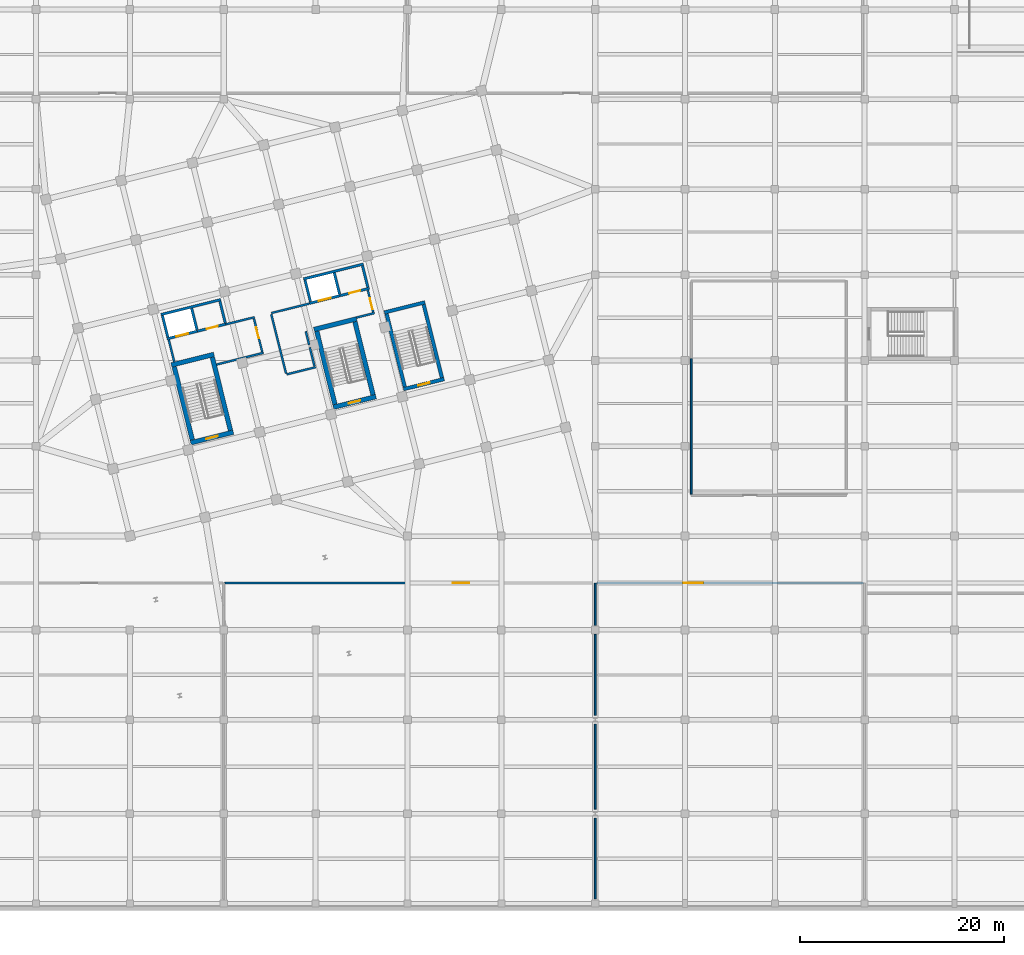
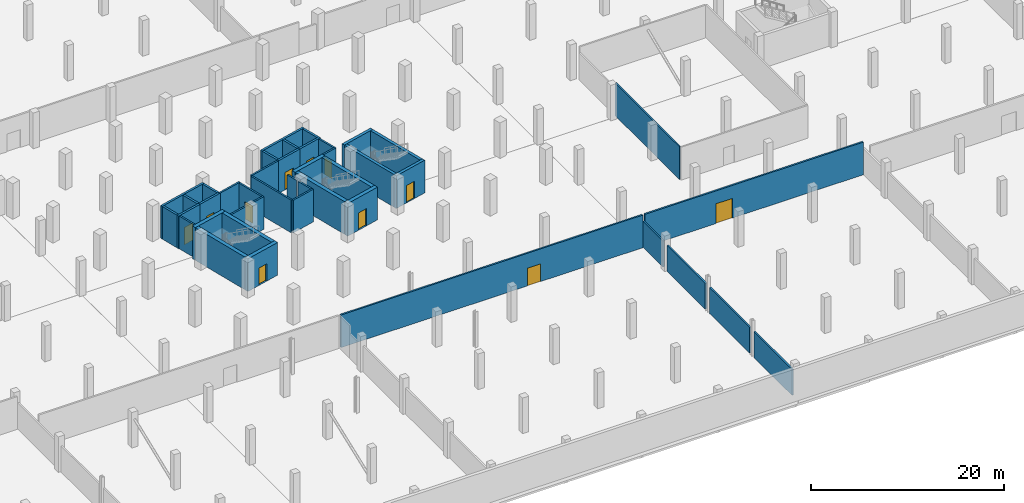
# One storey, part 22 of 31: 42 walls, 11 doors, 11 openings.
"""IFC4 building model written with IfcOpenShell, lengths in metres."""

from ifc_helpers import new_model, si_unit, direction, frame, frame_2d, origin, place, context, subcontext, project, spatial, rectangle, extrude, material, layer, layer_set, type_object, element, fill, save


model = new_model("IFC4")

# Units and contexts
model_context = context("Model", 3, precision=1e-05, world=origin(), true_north=direction((0.0, 1.0)))
body_context = subcontext(model_context, "Body", "Model", "MODEL_VIEW")
ifc_project = project(units=[si_unit("LENGTHUNIT", "METRE"), si_unit("AREAUNIT", "SQUARE_METRE"), si_unit("VOLUMEUNIT", "CUBIC_METRE"), si_unit("PLANEANGLEUNIT", "RADIAN"), si_unit("MASSUNIT", "GRAM", prefix="KILO")], contexts=[model_context])

# Site, building, storey
site_placement = place(None, origin())
site = spatial("IfcSite", under=ifc_project, at=site_placement, CompositionType="ELEMENT")
building_placement = place(site_placement, origin())
building = spatial("IfcBuilding", under=site, at=building_placement, Name="Meriwether Solvik Hall", CompositionType="ELEMENT")
storey_placement = place(building_placement, frame((0.0, 0.0, -4.5)))
storey = spatial("IfcBuildingStorey", under=building, at=storey_placement, Name="B01", CompositionType="ELEMENT", Elevation=-4.5)

# Walls
ifc_material_1 = material(Name="Grouted Concrete Masonry Unit Block", Category="masonry")
ifc_layer_1 = layer(ifc_material_1, 0.18994140625)
ifc_layer_set_1 = layer_set([ifc_layer_1], Name="Grouted Concrete Masonry Unit Block")
wall_type_1 = type_object("IfcWallType", Name="WALL-CMU-190", PredefinedType="STANDARD", material=ifc_layer_set_1)
wall_1_placement = place(storey_placement, frame((114.199951171875, 5.639892578125, 0.0), z_axis=(0.0, 0.0, 1.0), x_axis=(0.0, 1.0, 0.0)))
element("IfcWall", 1, at=wall_1_placement, inside=storey, type_object=wall_type_1, Name="B01 Interior Partition van_park_e", PredefinedType="STANDARD", context=body_context, shape_type="SweptSolid", body=[
    extrude(rectangle(XDim=7.920166015625, YDim=0.18994140625, at=frame_2d((3.9599609375, 0.0))), origin(), (0.0, 0.0, 1.0), 3.2900390625),
])
wall_2_placement = place(storey_placement, frame((114.199951171875, 14.43994140625, 0.0), z_axis=(0.0, 0.0, 1.0), x_axis=(0.0, 1.0, 0.0)))
element("IfcWall", 2, at=wall_2_placement, inside=storey, type_object=wall_type_1, Name="B01 Interior Partition van_park_e_s2", PredefinedType="STANDARD", context=body_context, shape_type="SweptSolid", body=[
    extrude(rectangle(XDim=8.320068359375, YDim=0.18994140625, at=frame_2d((4.16015625, 0.0))), origin(), (0.0, 0.0, 1.0), 3.2900390625),
])
wall_3_placement = place(storey_placement, frame((114.199951171875, 23.639892578125, 0.0), z_axis=(0.0, 0.0, 1.0), x_axis=(0.0, 1.0, 0.0)))
element("IfcWall", 3, at=wall_3_placement, inside=storey, type_object=wall_type_1, Name="B01 Interior Partition van_park_e_s3", PredefinedType="STANDARD", context=body_context, shape_type="SweptSolid", body=[
    extrude(rectangle(XDim=7.920166015625, YDim=0.18994140625, at=frame_2d((3.9599609375, 0.0))), origin(), (0.0, 0.0, 1.0), 3.2900390625),
])
wall_4_placement = place(storey_placement, frame((114.199951171875, 32.43994140625, 0.0), z_axis=(0.0, 0.0, 1.0), x_axis=(0.0, 1.0, 0.0)))
element("IfcWall", 4, at=wall_4_placement, inside=storey, type_object=wall_type_1, Name="B01 Interior Partition van_park_e_s4", PredefinedType="STANDARD", context=body_context, shape_type="SweptSolid", body=[
    extrude(rectangle(XDim=4.16015625, YDim=0.18994140625, at=frame_2d((2.080078125, 0.0))), origin(), (0.0, 0.0, 1.0), 3.2900390625),
])

# Wall, opening, door
wall_5_placement = place(storey_placement, frame((114.080078125, 36.60009765625, 0.0), z_axis=(0.0, 0.0, 1.0), x_axis=(-1.0, 0.0, 0.0)))
wall_5 = element("IfcWall", 5, at=wall_5_placement, inside=storey, type_object=wall_type_1, Name="B01 Interior Partition van_park_n", PredefinedType="STANDARD", context=body_context, shape_type="SweptSolid", body=[
    extrude(rectangle(XDim=36.16015625, YDim=0.18994140625, at=frame_2d((18.080078125, 0.0))), origin(), (0.0, 0.0, 1.0), 4.139892578125),
])
opening_1_placement = place(wall_5_placement, frame((12.246826171875, 0.0, 0.0)))
opening_1 = element("IfcOpeningElement", 6, at=opening_1_placement, cuts=wall_5, Name="Opening D-144", PredefinedType="OPENING", context=body_context, shape_type="SweptSolid", body=[
    extrude(rectangle(XDim=1.60009765625, YDim=2.25, at=frame_2d((0.800048828125, 1.125))), frame((0.0, 0.10693359375, 0.0), z_axis=(0.0, -1.0, 0.0), x_axis=(1.0, 0.0, 0.0)), (0.0, 0.0, 1.0), 0.2138671875),
])
ifc_material_2 = material(Name="Steel A36 Galvanised", Category="steel")
door_type_1 = type_object("IfcDoorType", Name="DR-FD60-1600", OperationType="DOUBLE_DOOR_SINGLE_SWING", PredefinedType="DOOR", material=ifc_material_2)
door_1_placement = place(opening_1_placement, origin())
door_1 = element("IfcDoor", 7, at=door_1_placement, inside=storey, type_object=door_type_1, Name="Accessible Van Parking Bay Door", OperationType="DOUBLE_DOOR_SINGLE_SWING", OverallHeight=2.25, OverallWidth=1.60009765625, PredefinedType="DOOR", context=body_context, shape_type="SweptSolid", body=[
    extrude(rectangle(XDim=1.60009765625, YDim=2.25, at=frame_2d((0.800048828125, 1.125))), frame((0.0, 0.02490234375, 0.0), z_axis=(0.0, -1.0, 0.0), x_axis=(1.0, 0.0, 0.0)), (0.0, 0.0, 1.0), 0.050048828125),
])
fill(opening_1, door_1)

# Walls
ifc_material_3 = material(Name="Fire-Rated Type X Gypsum Board", Category="gypsum")
ifc_layer_2 = layer(ifc_material_3, 0.175048828125)
ifc_layer_set_2 = layer_set([ifc_layer_2], Name="Fire-Rated Type X Gypsum Board")
wall_type_2 = type_object("IfcWallType", Name="WALL-CORR-175", PredefinedType="PARTITIONING", material=ifc_layer_set_2)
wall_6_placement = place(storey_placement, frame((123.60009765625, 58.614990234375, 0.0), z_axis=(0.0, 0.0, 1.0), x_axis=(0.0, -1.0, 0.0)))
element("IfcWall", 8, at=wall_6_placement, inside=storey, type_object=wall_type_2, Name="B01 Interior Partition jan_b01_w_s2", PredefinedType="PARTITIONING", context=body_context, shape_type="SweptSolid", body=[
    extrude(rectangle(XDim=13.294921875, YDim=0.175048828125, at=frame_2d((6.6474609375, 0.0))), origin(), (0.0, 0.0, 1.0), 4.139892578125),
])
ifc_material_4 = material(Name="Fire-Rated Type X Gypsum Board", Category="gypsum")
ifc_layer_3 = layer(ifc_material_4, 0.199951171875)
ifc_layer_set_3 = layer_set([ifc_layer_3], Name="Fire-Rated Type X Gypsum Board")
wall_type_3 = type_object("IfcWallType", Name="WALL-FIRE-200", PredefinedType="STANDARD", material=ifc_layer_set_3)
wall_7_placement = place(storey_placement, frame((72.94970703125, 58.269287109375, 0.0), z_axis=(0.0, 0.0, 1.0), x_axis=(-0.24194311862, 0.970290434536, 0.0)))
element("IfcWall", 9, at=wall_7_placement, inside=storey, type_object=wall_type_3, Name="B01 Interior Partition lb1_w", PredefinedType="STANDARD", context=body_context, shape_type="SweptSolid", body=[
    extrude(rectangle(XDim=2.22998046875, YDim=0.199951171875, at=frame_2d((1.114990234375, 0.0))), origin(), (0.0, 0.0, 1.0), 4.139892578125),
])
wall_8_placement = place(storey_placement, frame((77.096923828125, 58.0048828125, 0.0), z_axis=(0.0, 0.0, 1.0), x_axis=(0.970305892741, 0.241881116483, 0.0)))
element("IfcWall", 10, at=wall_8_placement, inside=storey, type_object=wall_type_3, Name="B01 Interior Partition lb1_s", PredefinedType="STANDARD", context=body_context, shape_type="SweptSolid", body=[
    extrude(rectangle(XDim=4.73974609375, YDim=0.199951171875, at=frame_2d((2.369873046875, 0.0))), origin(), (0.0, 0.0, 1.0), 4.139892578125),
])
wall_9_placement = place(storey_placement, frame((77.991943359375, 61.938232421875, 0.0), z_axis=(0.0, 0.0, 1.0), x_axis=(0.970304586447, 0.241886356621, 0.0)))
element("IfcWall", 11, at=wall_9_placement, inside=storey, type_object=wall_type_3, Name="B01 Interior Partition lb1_n_cap", PredefinedType="STANDARD", context=body_context, shape_type="SweptSolid", body=[
    extrude(rectangle(XDim=2.919921875, YDim=0.199951171875, at=frame_2d((1.4599609375, 0.0))), origin(), (0.0, 0.0, 1.0), 4.139892578125),
])

# Wall, opening, door
wall_10_placement = place(storey_placement, frame((80.75732421875, 62.50390625, 0.0), z_axis=(0.0, 0.0, 1.0), x_axis=(0.241885902723, -0.970304699599, 0.0)))
wall_10 = element("IfcWall", 12, at=wall_10_placement, inside=storey, type_object=wall_type_3, Name="B01 Interior Partition lb1_e", PredefinedType="STANDARD", context=body_context, shape_type="SweptSolid", body=[
    extrude(rectangle(XDim=3.360107421875, YDim=0.199951171875, at=frame_2d((1.68017578125, 0.0))), origin(), (0.0, 0.0, 1.0), 4.139892578125),
])
opening_2_placement = place(wall_10_placement, frame((0.889892578125, 0.0, 0.0)))
opening_2 = element("IfcOpeningElement", 13, at=opening_2_placement, cuts=wall_10, Name="Opening D-168", PredefinedType="OPENING", context=body_context, shape_type="SweptSolid", body=[
    extrude(rectangle(XDim=1.10009765625, YDim=2.199951171875, at=frame_2d((0.550048828125, 1.10009765625))), frame((0.0, 0.11181640625, 0.0), z_axis=(0.0, -1.0, 0.0), x_axis=(1.0, 0.0, 0.0)), (0.0, 0.0, 1.0), 0.223876953125),
])
ifc_material_5 = material(Name="Steel A36 Galvanised", Category="steel")
door_type_2 = type_object("IfcDoorType", Name="DR-FD60-1100L", OperationType="SINGLE_SWING_LEFT", PredefinedType="DOOR", material=ifc_material_5)
door_2_placement = place(opening_2_placement, origin())
door_2 = element("IfcDoor", 14, at=door_2_placement, inside=storey, type_object=door_type_2, Name="West FSAE Lift Lobby Door (B01)", OperationType="SINGLE_SWING_LEFT", OverallHeight=2.199951171875, OverallWidth=1.10009765625, PredefinedType="DOOR", context=body_context, shape_type="SweptSolid", body=[
    extrude(rectangle(XDim=1.10009765625, YDim=2.199951171875, at=frame_2d((0.550048828125, 1.10009765625))), frame((0.0, 0.02490234375, 0.0), z_axis=(0.0, -1.0, 0.0), x_axis=(1.0, 0.0, 0.0)), (0.0, 0.0, 1.0), 0.050048828125),
])
fill(opening_2, door_2)

# Walls
wall_11_placement = place(storey_placement, frame((82.452880859375, 62.93701171875, 0.0), z_axis=(0.0, 0.0, 1.0), x_axis=(0.241891967324, -0.970303187743, 0.0)))
element("IfcWall", 15, at=wall_11_placement, inside=storey, type_object=wall_type_3, Name="B01 Interior Partition lb2_w", PredefinedType="STANDARD", context=body_context, shape_type="SweptSolid", body=[
    extrude(rectangle(XDim=5.97998046875, YDim=0.199951171875, at=frame_2d((2.989990234375, 0.0))), origin(), (0.0, 0.0, 1.0), 4.139892578125),
])
wall_12_placement = place(storey_placement, frame((83.972412109375, 57.03955078125, 0.0), z_axis=(0.0, 0.0, 1.0), x_axis=(0.970308790931, 0.241869490102, 0.0)))
element("IfcWall", 16, at=wall_12_placement, inside=storey, type_object=wall_type_3, Name="B01 Interior Partition lb2_s_w", PredefinedType="STANDARD", context=body_context, shape_type="SweptSolid", body=[
    extrude(rectangle(XDim=2.932373046875, YDim=0.199951171875, at=frame_2d((1.46630859375, 0.0))), origin(), (0.0, 0.0, 1.0), 4.139892578125),
])
wall_13_placement = place(storey_placement, frame((86.691650390625, 57.841064453125, 0.0), z_axis=(0.0, 0.0, 1.0), x_axis=(-0.241992731984, 0.970278062035, 0.0)))
element("IfcWall", 17, at=wall_13_placement, inside=storey, type_object=wall_type_3, Name="B01 Interior Partition lb2_e_low", PredefinedType="STANDARD", context=body_context, shape_type="SweptSolid", body=[
    extrude(rectangle(XDim=1.90478515625, YDim=0.199951171875, at=frame_2d((0.952392578125, 0.0))), origin(), (0.0, 0.0, 1.0), 4.139892578125),
])
wall_14_placement = place(storey_placement, frame((86.169921875, 59.932861328125, 0.0), z_axis=(0.0, 0.0, 1.0), x_axis=(-0.241824833036, 0.970319921535, 0.0)))
element("IfcWall", 18, at=wall_14_placement, inside=storey, type_object=wall_type_3, Name="B01 Interior Partition lb2_e_low_s2", PredefinedType="STANDARD", context=body_context, shape_type="SweptSolid", body=[
    extrude(rectangle(XDim=1.3740234375, YDim=0.199951171875, at=frame_2d((0.68701171875, 0.0))), origin(), (0.0, 0.0, 1.0), 4.139892578125),
])
wall_15_placement = place(storey_placement, frame((82.47265625, 63.05517578125, 0.0), z_axis=(0.0, 0.0, 1.0), x_axis=(0.970284368558, 0.241967444366, 0.0)))
element("IfcWall", 19, at=wall_15_placement, inside=storey, type_object=wall_type_3, Name="B01 Interior Partition lb2_n_cap_w", PredefinedType="STANDARD", context=body_context, shape_type="SweptSolid", body=[
    extrude(rectangle(XDim=3.84228515625, YDim=0.199951171875, at=frame_2d((1.921142578125, 0.0))), origin(), (0.0, 0.0, 1.0), 4.139892578125),
])
wall_16_placement = place(storey_placement, frame((90.791015625, 62.604248046875, 0.0), z_axis=(0.0, 0.0, 1.0), x_axis=(0.970306180373, 0.241879962645, 0.0)))
element("IfcWall", 20, at=wall_16_placement, inside=storey, type_object=wall_type_3, Name="B01 Interior Partition lb2_s", PredefinedType="STANDARD", context=body_context, shape_type="SweptSolid", body=[
    extrude(rectangle(XDim=1.840087890625, YDim=0.199951171875, at=frame_2d((0.919921875, 0.0))), origin(), (0.0, 0.0, 1.0), 4.139892578125),
])

# Wall, opening, door
wall_17_placement = place(storey_placement, frame((91.913330078125, 65.295654296875, 0.0), z_axis=(0.0, 0.0, 1.0), x_axis=(0.241836892041, -0.970316916089, 0.0)))
wall_17 = element("IfcWall", 21, at=wall_17_placement, inside=storey, type_object=wall_type_3, Name="B01 Interior Partition lb2_e", PredefinedType="STANDARD", context=body_context, shape_type="SweptSolid", body=[
    extrude(rectangle(XDim=2.219970703125, YDim=0.199951171875, at=frame_2d((1.10986328125, 0.0))), origin(), (0.0, 0.0, 1.0), 4.139892578125),
])
opening_3_placement = place(wall_17_placement, frame((0.820068359375, 0.0, 0.0)))
opening_3 = element("IfcOpeningElement", 22, at=opening_3_placement, cuts=wall_17, Name="Opening D-168", PredefinedType="OPENING", context=body_context, shape_type="SweptSolid", body=[
    extrude(rectangle(XDim=1.10009765625, YDim=2.199951171875, at=frame_2d((0.550048828125, 1.10009765625))), frame((0.0, 0.11181640625, 0.0), z_axis=(0.0, -1.0, 0.0), x_axis=(1.0, 0.0, 0.0)), (0.0, 0.0, 1.0), 0.223876953125),
])
door_3_placement = place(opening_3_placement, origin())
door_3 = element("IfcDoor", 23, at=door_3_placement, inside=storey, type_object=door_type_2, Name="East FSAE Lift Lobby Door (B01)", OperationType="SINGLE_SWING_LEFT", OverallHeight=2.199951171875, OverallWidth=1.10009765625, PredefinedType="DOOR", context=body_context, shape_type="SweptSolid", body=[
    extrude(rectangle(XDim=1.10009765625, YDim=2.199951171875, at=frame_2d((0.550048828125, 1.10009765625))), frame((0.0, 0.02490234375, 0.0), z_axis=(0.0, -1.0, 0.0), x_axis=(1.0, 0.0, 0.0)), (0.0, 0.0, 1.0), 0.050048828125),
])
fill(opening_3, door_3)

wall_18_placement = place(storey_placement, frame((114.320068359375, 36.60009765625, 0.0), z_axis=(0.0, 0.0, 1.0), x_axis=(1.0, 0.0, 0.0)))
wall_18 = element("IfcWall", 24, at=wall_18_placement, inside=storey, type_object=wall_type_3, Name="B01 Interior Partition el_sub_n", PredefinedType="STANDARD", context=body_context, shape_type="SweptSolid", body=[
    extrude(rectangle(XDim=26.159912109375, YDim=0.199951171875, at=frame_2d((13.080078125, 0.0))), origin(), (0.0, 0.0, 1.0), 4.139892578125),
])
opening_4_placement = place(wall_18_placement, frame((8.50439453125, 0.0, 0.0)))
opening_4 = element("IfcOpeningElement", 25, at=opening_4_placement, cuts=wall_18, Name="Opening D-116", PredefinedType="OPENING", context=body_context, shape_type="SweptSolid", body=[
    extrude(rectangle(XDim=1.949951171875, YDim=2.5, at=frame_2d((0.97509765625, 1.25))), frame((0.0, 0.11181640625, 0.0), z_axis=(0.0, -1.0, 0.0), x_axis=(1.0, 0.0, 0.0)), (0.0, 0.0, 1.0), 0.223876953125),
])
ifc_material_6 = material(Name="Steel A36 Galvanised", Category="steel")
door_type_3 = type_object("IfcDoorType", Name="DR-FD90-1950", OperationType="DOUBLE_DOOR_SINGLE_SWING", PredefinedType="DOOR", material=ifc_material_6)
door_4_placement = place(opening_4_placement, origin())
door_4 = element("IfcDoor", 26, at=door_4_placement, inside=storey, type_object=door_type_3, Name="Main Electrical Transformer Plant Door", OperationType="DOUBLE_DOOR_SINGLE_SWING", OverallHeight=2.5, OverallWidth=1.949951171875, PredefinedType="DOOR", context=body_context, shape_type="SweptSolid", body=[
    extrude(rectangle(XDim=1.949951171875, YDim=2.5, at=frame_2d((0.97509765625, 1.25))), frame((0.0, 0.02490234375, 0.0), z_axis=(0.0, -1.0, 0.0), x_axis=(1.0, 0.0, 0.0)), (0.0, 0.0, 1.0), 0.050048828125),
])
fill(opening_4, door_4)

# Walls
ifc_material_7 = material(Name="Concrete C40/50", Category="concrete")
ifc_layer_4 = layer(ifc_material_7, 0.25)
ifc_layer_set_4 = layer_set([ifc_layer_4], Name="Concrete C40/50")
wall_type_4 = type_object("IfcWallType", Name="WALL-HOIST-250", PredefinedType="SHEAR", material=ifc_layer_set_4)
wall_19_placement = place(storey_placement, frame((77.509765625, 64.36865234375, 0.0), z_axis=(0.0, 0.0, 1.0), x_axis=(-0.970296596103, -0.241918406889, 0.0)))
element("IfcWall", 27, at=wall_19_placement, inside=storey, type_object=wall_type_4, Name="Hoistway BANK1 North Wall (B01)", PredefinedType="SHEAR", context=body_context, shape_type="SweptSolid", body=[
    extrude(rectangle(XDim=6.050048828125, YDim=0.25, at=frame_2d((3.02490234375, 0.0))), origin(), (0.0, 0.0, 1.0), 4.139892578125),
])
for number, where, z_axis, x_axis, name in (
    (28, (71.793212890625, 62.80419921875, 0.0), (0.0, 0.0, 1.0), (0.242008581424, -0.970274108959, 0.0), "Hoistway BANK1 West Wall (B01)"),
    (29, (77.948486328125, 62.09228515625, 0.0), (0.0, 0.0, 1.0), (-0.241903146974, 0.970300400641, 0.0), "Hoistway BANK1 East Wall (B01)"),
    (30, (75.18310546875, 61.402587890625, 0.0), (0.0, 0.0, 1.0), (-0.241903146974, 0.970300400641, 0.0), "Hoistway BANK1 Divider Pier (B01)"),
):
    element("IfcWall", number, at=place(storey_placement, frame(where, z_axis=z_axis, x_axis=x_axis)), inside=storey, type_object=wall_type_4, Name=name, PredefinedType="SHEAR", context=body_context, shape_type="SweptSolid", body=[
        extrude(rectangle(XDim=2.179931640625, YDim=0.25, at=frame_2d((1.08984375, 0.0))), origin(), (0.0, 0.0, 1.0), 4.139892578125),
    ])

# Wall, opening, door
wall_20_placement = place(storey_placement, frame((72.232177734375, 60.52783203125, 0.0), z_axis=(0.0, 0.0, 1.0), x_axis=(0.970296930481, 0.241917065747, 0.0)))
wall_20 = element("IfcWall", 31, at=wall_20_placement, inside=storey, type_object=wall_type_4, Name="Lift LF-01 Landing Wall (B01)", PredefinedType="SHEAR", context=body_context, shape_type="SweptSolid", body=[
    extrude(rectangle(XDim=3.06494140625, YDim=0.25, at=frame_2d((1.532470703125, 0.0))), origin(), (0.0, 0.0, 1.0), 4.139892578125),
])
opening_5_placement = place(wall_20_placement, frame((0.9326171875, 0.0, 0.0)))
opening_5 = element("IfcOpeningElement", 32, at=opening_5_placement, cuts=wall_20, Name="Opening LD-01", PredefinedType="OPENING", context=body_context, shape_type="SweptSolid", body=[
    extrude(rectangle(XDim=1.199951171875, YDim=2.199951171875, at=frame_2d((0.60009765625, 1.10009765625))), frame((0.0, 0.136962890625, 0.0), z_axis=(0.0, -1.0, 0.0), x_axis=(1.0, 0.0, 0.0)), (0.0, 0.0, 1.0), 0.27392578125),
])
ifc_material_8 = material(Name="Stainless Steel AISI 316", Category="steel")
door_type_4 = type_object("IfcDoorType", Name="DR-LIFT-FSAE", OperationType="DOUBLE_DOOR_SLIDING", PredefinedType="DOOR", material=ifc_material_8)
door_5_placement = place(opening_5_placement, origin())
door_5 = element("IfcDoor", 33, at=door_5_placement, inside=storey, type_object=door_type_4, Name="Lift Landing Door LF-01 (B01)", OperationType="DOUBLE_DOOR_SLIDING", OverallHeight=2.199951171875, OverallWidth=1.199951171875, PredefinedType="DOOR", context=body_context, shape_type="SweptSolid", body=[
    extrude(rectangle(XDim=1.199951171875, YDim=2.199951171875, at=frame_2d((0.60009765625, 1.10009765625))), frame((0.0, 0.02490234375, 0.0), z_axis=(0.0, -1.0, 0.0), x_axis=(1.0, 0.0, 0.0)), (0.0, 0.0, 1.0), 0.050048828125),
])
fill(opening_5, door_5)

wall_21_placement = place(storey_placement, frame((75.225341796875, 61.274169921875, 0.0), z_axis=(0.0, 0.0, 1.0), x_axis=(0.970297295425, 0.241915601999, 0.0)))
wall_21 = element("IfcWall", 34, at=wall_21_placement, inside=storey, type_object=wall_type_4, Name="Lift LP-01 Landing Wall (B01)", PredefinedType="SHEAR", context=body_context, shape_type="SweptSolid", body=[
    extrude(rectangle(XDim=2.965087890625, YDim=0.25, at=frame_2d((1.482421875, 0.0))), origin(), (0.0, 0.0, 1.0), 4.139892578125),
])
opening_6_placement = place(wall_21_placement, frame((0.9326171875, 0.0, 0.0)))
opening_6 = element("IfcOpeningElement", 35, at=opening_6_placement, cuts=wall_21, Name="Opening LD-03", PredefinedType="OPENING", context=body_context, shape_type="SweptSolid", body=[
    extrude(rectangle(XDim=1.10009765625, YDim=2.14990234375, at=frame_2d((0.550048828125, 1.074951171875))), frame((0.0, 0.136962890625, 0.0), z_axis=(0.0, -1.0, 0.0), x_axis=(1.0, 0.0, 0.0)), (0.0, 0.0, 1.0), 0.27392578125),
])
ifc_material_9 = material(Name="Stainless Steel AISI 316", Category="steel")
door_type_5 = type_object("IfcDoorType", Name="DR-LIFT-PASS", OperationType="DOUBLE_DOOR_SLIDING", PredefinedType="DOOR", material=ifc_material_9)
door_6_placement = place(opening_6_placement, origin())
door_6 = element("IfcDoor", 36, at=door_6_placement, inside=storey, type_object=door_type_5, Name="Lift Landing Door LP-01 (B01)", OperationType="DOUBLE_DOOR_SLIDING", OverallHeight=2.14990234375, OverallWidth=1.10009765625, PredefinedType="DOOR", context=body_context, shape_type="SweptSolid", body=[
    extrude(rectangle(XDim=1.10009765625, YDim=2.14990234375, at=frame_2d((0.550048828125, 1.074951171875))), frame((0.0, 0.02490234375, 0.0), z_axis=(0.0, -1.0, 0.0), x_axis=(1.0, 0.0, 0.0)), (0.0, 0.0, 1.0), 0.050048828125),
])
fill(opening_6, door_6)

# Walls
wall_22_placement = place(storey_placement, frame((91.48193359375, 67.852294921875, 0.0), z_axis=(0.0, 0.0, 1.0), x_axis=(-0.970296596103, -0.241918406889, 0.0)))
element("IfcWall", 37, at=wall_22_placement, inside=storey, type_object=wall_type_4, Name="Hoistway BANK2 North Wall (B01)", PredefinedType="SHEAR", context=body_context, shape_type="SweptSolid", body=[
    extrude(rectangle(XDim=6.050048828125, YDim=0.25, at=frame_2d((3.02490234375, 0.0))), origin(), (0.0, 0.0, 1.0), 4.139892578125),
])
for number, where, z_axis, x_axis, name in (
    (38, (85.765625, 66.287841796875, 0.0), (0.0, 0.0, 1.0), (0.241903146974, -0.970300400641, 0.0), "Hoistway BANK2 West Wall (B01)"),
    (39, (91.920654296875, 65.575927734375, 0.0), (0.0, 0.0, 1.0), (-0.241903146974, 0.970300400641, 0.0), "Hoistway BANK2 East Wall (B01)"),
    (40, (89.1552734375, 64.886474609375, 0.0), (0.0, 0.0, 1.0), (-0.241903146974, 0.970300400641, 0.0), "Hoistway BANK2 Divider Pier (B01)"),
):
    element("IfcWall", number, at=place(storey_placement, frame(where, z_axis=z_axis, x_axis=x_axis)), inside=storey, type_object=wall_type_4, Name=name, PredefinedType="SHEAR", context=body_context, shape_type="SweptSolid", body=[
        extrude(rectangle(XDim=2.179931640625, YDim=0.25, at=frame_2d((1.08984375, 0.0))), origin(), (0.0, 0.0, 1.0), 4.139892578125),
    ])

# Wall, opening, door
wall_23_placement = place(storey_placement, frame((86.204345703125, 64.011474609375, 0.0), z_axis=(0.0, 0.0, 1.0), x_axis=(0.970296930481, 0.241917065747, 0.0)))
wall_23 = element("IfcWall", 41, at=wall_23_placement, inside=storey, type_object=wall_type_4, Name="Lift LF-02 Landing Wall (B01)", PredefinedType="SHEAR", context=body_context, shape_type="SweptSolid", body=[
    extrude(rectangle(XDim=3.06494140625, YDim=0.25, at=frame_2d((1.532470703125, 0.0))), origin(), (0.0, 0.0, 1.0), 4.139892578125),
])
opening_7_placement = place(wall_23_placement, frame((0.9326171875, 0.0, 0.0)))
opening_7 = element("IfcOpeningElement", 42, at=opening_7_placement, cuts=wall_23, Name="Opening LD-02", PredefinedType="OPENING", context=body_context, shape_type="SweptSolid", body=[
    extrude(rectangle(XDim=1.199951171875, YDim=2.199951171875, at=frame_2d((0.60009765625, 1.10009765625))), frame((0.0, 0.136962890625, 0.0), z_axis=(0.0, -1.0, 0.0), x_axis=(1.0, 0.0, 0.0)), (0.0, 0.0, 1.0), 0.27392578125),
])
door_7_placement = place(opening_7_placement, origin())
door_7 = element("IfcDoor", 43, at=door_7_placement, inside=storey, type_object=door_type_4, Name="Lift Landing Door LF-02 (B01)", OperationType="DOUBLE_DOOR_SLIDING", OverallHeight=2.199951171875, OverallWidth=1.199951171875, PredefinedType="DOOR", context=body_context, shape_type="SweptSolid", body=[
    extrude(rectangle(XDim=1.199951171875, YDim=2.199951171875, at=frame_2d((0.60009765625, 1.10009765625))), frame((0.0, 0.02490234375, 0.0), z_axis=(0.0, -1.0, 0.0), x_axis=(1.0, 0.0, 0.0)), (0.0, 0.0, 1.0), 0.050048828125),
])
fill(opening_7, door_7)

wall_24_placement = place(storey_placement, frame((89.19775390625, 64.7578125, 0.0), z_axis=(0.0, 0.0, 1.0), x_axis=(0.970297295425, 0.241915601999, 0.0)))
wall_24 = element("IfcWall", 44, at=wall_24_placement, inside=storey, type_object=wall_type_4, Name="Lift LP-02 Landing Wall (B01)", PredefinedType="SHEAR", context=body_context, shape_type="SweptSolid", body=[
    extrude(rectangle(XDim=2.965087890625, YDim=0.25, at=frame_2d((1.482421875, 0.0))), origin(), (0.0, 0.0, 1.0), 4.139892578125),
])
opening_8_placement = place(wall_24_placement, frame((0.9326171875, 0.0, 0.0)))
opening_8 = element("IfcOpeningElement", 45, at=opening_8_placement, cuts=wall_24, Name="Opening LD-04", PredefinedType="OPENING", context=body_context, shape_type="SweptSolid", body=[
    extrude(rectangle(XDim=1.10009765625, YDim=2.14990234375, at=frame_2d((0.550048828125, 1.074951171875))), frame((0.0, 0.136962890625, 0.0), z_axis=(0.0, -1.0, 0.0), x_axis=(1.0, 0.0, 0.0)), (0.0, 0.0, 1.0), 0.27392578125),
])
door_8_placement = place(opening_8_placement, origin())
door_8 = element("IfcDoor", 46, at=door_8_placement, inside=storey, type_object=door_type_5, Name="Lift Landing Door LP-02 (B01)", OperationType="DOUBLE_DOOR_SLIDING", OverallHeight=2.14990234375, OverallWidth=1.10009765625, PredefinedType="DOOR", context=body_context, shape_type="SweptSolid", body=[
    extrude(rectangle(XDim=1.10009765625, YDim=2.14990234375, at=frame_2d((0.550048828125, 1.074951171875))), frame((0.0, 0.02490234375, 0.0), z_axis=(0.0, -1.0, 0.0), x_axis=(1.0, 0.0, 0.0)), (0.0, 0.0, 1.0), 0.050048828125),
])
fill(opening_8, door_8)

ifc_material_10 = material(Name="Concrete C40/50", Category="concrete")
ifc_layer_5 = layer(ifc_material_10, 0.35009765625)
ifc_layer_set_5 = layer_set([ifc_layer_5], Name="Concrete C40/50")
wall_type_5 = type_object("IfcWallType", Name="WALL-RC-350", PredefinedType="SHEAR", material=ifc_layer_set_5)
wall_25_placement = place(storey_placement, frame((95.415283203125, 55.589599609375, 0.0), z_axis=(0.0, 0.0, 1.0), x_axis=(0.970292928015, 0.241933118535, 0.0)))
wall_25 = element("IfcWall", 47, at=wall_25_placement, inside=storey, type_object=wall_type_5, Name="CORE-3 Shear Wall S (B01)", PredefinedType="SHEAR", context=body_context, shape_type="SweptSolid", body=[
    extrude(rectangle(XDim=4.10009765625, YDim=0.35009765625, at=frame_2d((2.050048828125, 0.0))), origin(), (0.0, 0.0, 1.0), 4.139892578125),
])
opening_9_placement = place(wall_25_placement, frame((1.47509765625, 0.0, 0.0)))
opening_9 = element("IfcOpeningElement", 48, at=opening_9_placement, cuts=wall_25, Name="Opening D-148", PredefinedType="OPENING", context=body_context, shape_type="SweptSolid", body=[
    extrude(rectangle(XDim=1.14990234375, YDim=2.199951171875, at=frame_2d((0.574951171875, 1.10009765625))), frame((0.0, 0.18701171875, 0.0), z_axis=(0.0, -1.0, 0.0), x_axis=(1.0, 0.0, 0.0)), (0.0, 0.0, 1.0), 0.3740234375),
])
ifc_material_11 = material(Name="Steel A36 Galvanised", Category="steel")
door_type_6 = type_object("IfcDoorType", Name="DR-FD90-1150R", OperationType="SINGLE_SWING_RIGHT", PredefinedType="DOOR", material=ifc_material_11)
door_9_placement = place(opening_9_placement, origin())
door_9 = element("IfcDoor", 49, at=door_9_placement, inside=storey, type_object=door_type_6, Name="Stair ST-03 Smokeproof Exit Door (B01)", OperationType="SINGLE_SWING_RIGHT", OverallHeight=2.199951171875, OverallWidth=1.14990234375, PredefinedType="DOOR", context=body_context, shape_type="SweptSolid", body=[
    extrude(rectangle(XDim=1.14990234375, YDim=2.199951171875, at=frame_2d((0.574951171875, 1.10009765625))), frame((0.0, 0.02490234375, 0.0), z_axis=(0.0, -1.0, 0.0), x_axis=(1.0, 0.0, 0.0)), (0.0, 0.0, 1.0), 0.050048828125),
])
fill(opening_9, door_9)

# Walls
wall_26_placement = place(storey_placement, frame((97.5185546875, 64.101318359375, 0.0), z_axis=(0.0, 0.0, 1.0), x_axis=(-0.970289442421, -0.241947097371, 0.0)))
element("IfcWall", 50, at=wall_26_placement, inside=storey, type_object=wall_type_5, Name="CORE-3 Shear Wall N (B01)", PredefinedType="SHEAR", context=body_context, shape_type="SweptSolid", body=[
    extrude(rectangle(XDim=4.099853515625, YDim=0.35009765625, at=frame_2d((2.0498046875, 0.0))), origin(), (0.0, 0.0, 1.0), 4.139892578125),
])
for number, where, z_axis, x_axis, name in (
    (51, (93.755126953125, 62.97216796875, 0.0), (0.0, 0.0, 1.0), (0.241897280066, -0.970301863286, 0.0), "CORE-3 Shear Wall W (B01)"),
    (52, (99.178955078125, 56.71875, 0.0), (0.0, 0.0, 1.0), (-0.241928426141, 0.970294098006, 0.0), "CORE-3 Shear Wall E (B01)"),
):
    element("IfcWall", number, at=place(storey_placement, frame(where, z_axis=z_axis, x_axis=x_axis)), inside=storey, type_object=wall_type_5, Name=name, PredefinedType="SHEAR", context=body_context, shape_type="SweptSolid", body=[
        extrude(rectangle(XDim=7.3798828125, YDim=0.35009765625, at=frame_2d((3.68994140625, 0.0))), origin(), (0.0, 0.0, 1.0), 4.139892578125),
    ])

# Wall, opening, door
ifc_material_12 = material(Name="Concrete C45/55", Category="concrete")
ifc_layer_6 = layer(ifc_material_12, 0.449951171875)
ifc_layer_set_6 = layer_set([ifc_layer_6], Name="Concrete C45/55")
wall_type_6 = type_object("IfcWallType", Name="WALL-RC-450", PredefinedType="SHEAR", material=ifc_layer_set_6)
wall_27_placement = place(storey_placement, frame((74.566162109375, 50.33984375, 0.0), z_axis=(0.0, 0.0, 1.0), x_axis=(0.970292610647, 0.241934391361, 0.0)))
wall_27 = element("IfcWall", 53, at=wall_27_placement, inside=storey, type_object=wall_type_6, Name="CORE-1 Shear Wall S (B01)", PredefinedType="SHEAR", context=body_context, shape_type="SweptSolid", body=[
    extrude(rectangle(XDim=4.2998046875, YDim=0.449951171875, at=frame_2d((2.14990234375, 0.0))), origin(), (0.0, 0.0, 1.0), 4.139892578125),
])
opening_10_placement = place(wall_27_placement, frame((1.574951171875, 0.0, 0.0)))
opening_10 = element("IfcOpeningElement", 54, at=opening_10_placement, cuts=wall_27, Name="Opening D-189", PredefinedType="OPENING", context=body_context, shape_type="SweptSolid", body=[
    extrude(rectangle(XDim=1.14990234375, YDim=2.199951171875, at=frame_2d((0.574951171875, 1.10009765625))), frame((0.0, 0.23681640625, 0.0), z_axis=(0.0, -1.0, 0.0), x_axis=(1.0, 0.0, 0.0)), (0.0, 0.0, 1.0), 0.473876953125),
])
ifc_material_13 = material(Name="Steel A36 Galvanised", Category="steel")
door_type_7 = type_object("IfcDoorType", Name="DR-FD90-1150L", OperationType="SINGLE_SWING_LEFT", PredefinedType="DOOR", material=ifc_material_13)
door_10_placement = place(opening_10_placement, origin())
door_10 = element("IfcDoor", 55, at=door_10_placement, inside=storey, type_object=door_type_7, Name="Stair ST-01 Smokeproof Exit Door (B01)", OperationType="SINGLE_SWING_LEFT", OverallHeight=2.199951171875, OverallWidth=1.14990234375, PredefinedType="DOOR", context=body_context, shape_type="SweptSolid", body=[
    extrude(rectangle(XDim=1.14990234375, YDim=2.199951171875, at=frame_2d((0.574951171875, 1.10009765625))), frame((0.0, 0.02490234375, 0.0), z_axis=(0.0, -1.0, 0.0), x_axis=(1.0, 0.0, 0.0)), (0.0, 0.0, 1.0), 0.050048828125),
])
fill(opening_10, door_10)

# Walls
wall_28_placement = place(storey_placement, frame((76.83935546875, 58.996826171875, 0.0), z_axis=(0.0, 0.0, 1.0), x_axis=(-0.970295933763, -0.241921063415, 0.0)))
element("IfcWall", 56, at=wall_28_placement, inside=storey, type_object=wall_type_6, Name="CORE-1 Shear Wall N (B01)", PredefinedType="SHEAR", context=body_context, shape_type="SweptSolid", body=[
    extrude(rectangle(XDim=4.300048828125, YDim=0.449951171875, at=frame_2d((2.14990234375, 0.0))), origin(), (0.0, 0.0, 1.0), 4.139892578125),
])
for number, where, z_axis, x_axis, name in (
    (57, (72.942138671875, 57.782958984375, 0.0), (0.0, 0.0, 1.0), (0.241928426141, -0.970294098006, 0.0), "CORE-1 Shear Wall W (B01)"),
    (58, (78.463134765625, 51.5537109375, 0.0), (0.0, 0.0, 1.0), (-0.241928426141, 0.970294098006, 0.0), "CORE-1 Shear Wall E (B01)"),
):
    element("IfcWall", number, at=place(storey_placement, frame(where, z_axis=z_axis, x_axis=x_axis)), inside=storey, type_object=wall_type_6, Name=name, PredefinedType="SHEAR", context=body_context, shape_type="SweptSolid", body=[
        extrude(rectangle(XDim=7.3798828125, YDim=0.449951171875, at=frame_2d((3.68994140625, 0.0))), origin(), (0.0, 0.0, 1.0), 4.139892578125),
    ])

# Wall, opening, door
wall_29_placement = place(storey_placement, frame((88.538330078125, 53.823486328125, 0.0), z_axis=(0.0, 0.0, 1.0), x_axis=(0.970295933763, 0.241921063415, 0.0)))
wall_29 = element("IfcWall", 59, at=wall_29_placement, inside=storey, type_object=wall_type_6, Name="CORE-2 Shear Wall S (B01)", PredefinedType="SHEAR", context=body_context, shape_type="SweptSolid", body=[
    extrude(rectangle(XDim=4.300048828125, YDim=0.449951171875, at=frame_2d((2.14990234375, 0.0))), origin(), (0.0, 0.0, 1.0), 4.139892578125),
])
opening_11_placement = place(wall_29_placement, frame((1.574951171875, 0.0, 0.0)))
opening_11 = element("IfcOpeningElement", 60, at=opening_11_placement, cuts=wall_29, Name="Opening D-148", PredefinedType="OPENING", context=body_context, shape_type="SweptSolid", body=[
    extrude(rectangle(XDim=1.14990234375, YDim=2.199951171875, at=frame_2d((0.574951171875, 1.10009765625))), frame((0.0, 0.23681640625, 0.0), z_axis=(0.0, -1.0, 0.0), x_axis=(1.0, 0.0, 0.0)), (0.0, 0.0, 1.0), 0.473876953125),
])
door_11_placement = place(opening_11_placement, origin())
door_11 = element("IfcDoor", 61, at=door_11_placement, inside=storey, type_object=door_type_6, Name="Stair ST-02 Smokeproof Exit Door (B01)", OperationType="SINGLE_SWING_RIGHT", OverallHeight=2.199951171875, OverallWidth=1.14990234375, PredefinedType="DOOR", context=body_context, shape_type="SweptSolid", body=[
    extrude(rectangle(XDim=1.14990234375, YDim=2.199951171875, at=frame_2d((0.574951171875, 1.10009765625))), frame((0.0, 0.02490234375, 0.0), z_axis=(0.0, -1.0, 0.0), x_axis=(1.0, 0.0, 0.0)), (0.0, 0.0, 1.0), 0.050048828125),
])
fill(opening_11, door_11)

# Walls
wall_30_placement = place(storey_placement, frame((90.8115234375, 62.48046875, 0.0), z_axis=(0.0, 0.0, 1.0), x_axis=(-0.970309259708, -0.2418676095, 0.0)))
element("IfcWall", 62, at=wall_30_placement, inside=storey, type_object=wall_type_6, Name="CORE-2 Shear Wall N (B01)", PredefinedType="SHEAR", context=body_context, shape_type="SweptSolid", body=[
    extrude(rectangle(XDim=4.300048828125, YDim=0.449951171875, at=frame_2d((2.14990234375, 0.0))), origin(), (0.0, 0.0, 1.0), 4.139892578125),
])
for number, where, z_axis, x_axis, name in (
    (63, (86.91455078125, 61.266845703125, 0.0), (0.0, 0.0, 1.0), (0.241889515465, -0.970303798976, 0.0), "CORE-2 Shear Wall W (B01)"),
    (64, (92.435546875, 55.037353515625, 0.0), (0.0, 0.0, 1.0), (-0.241920660665, 0.970296034179, 0.0), "CORE-2 Shear Wall E (B01)"),
):
    element("IfcWall", number, at=place(storey_placement, frame(where, z_axis=z_axis, x_axis=x_axis)), inside=storey, type_object=wall_type_6, Name=name, PredefinedType="SHEAR", context=body_context, shape_type="SweptSolid", body=[
        extrude(rectangle(XDim=7.380126953125, YDim=0.449951171875, at=frame_2d((3.68994140625, 0.0))), origin(), (0.0, 0.0, 1.0), 4.139892578125),
    ])

save(model, "model.ifc")
